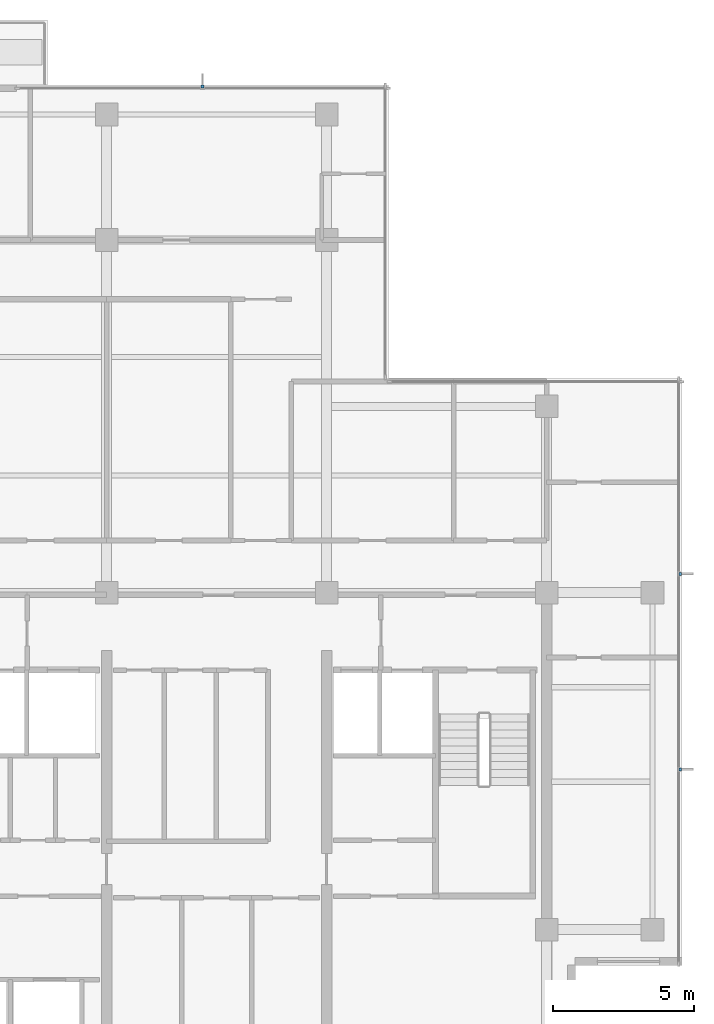
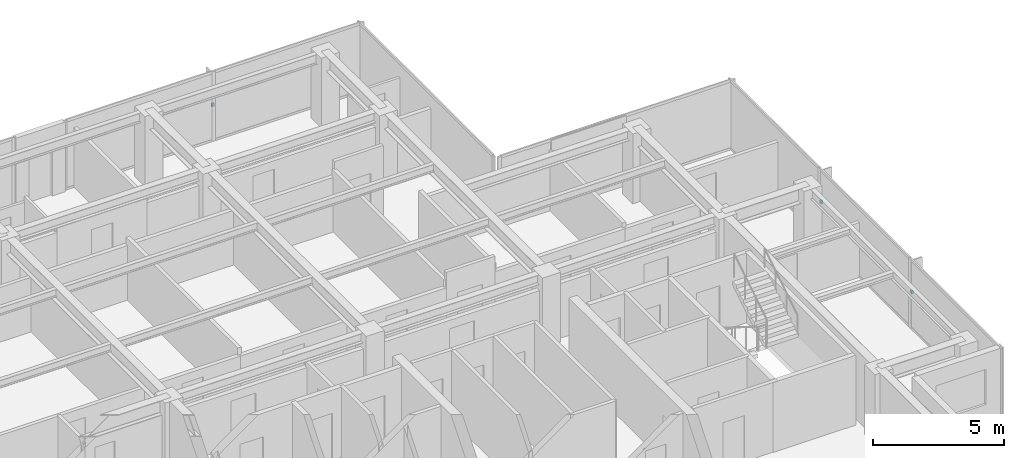
# One storey, part 10 of 11: 3 discrete accessories.
"""IFC4 building model written with IfcOpenShell, lengths in metres."""

from ifc_helpers import new_model, si_unit, direction, frame, origin, place, context, subcontext, project, spatial, polyline, outline, extrude, material, type_object, element, save


model = new_model("IFC4")

# Units and contexts
model_context = context("Model", 3, precision=1e-05, world=origin(), true_north=direction((0.0, 1.0)))
body_context = subcontext(model_context, "Body", "Model", "MODEL_VIEW")
ifc_project = project(units=[si_unit("LENGTHUNIT", "METRE"), si_unit("AREAUNIT", "SQUARE_METRE"), si_unit("VOLUMEUNIT", "CUBIC_METRE"), si_unit("PLANEANGLEUNIT", "RADIAN"), si_unit("MASSUNIT", "GRAM", prefix="KILO")], contexts=[model_context])

# Site, building, storey
site_placement = place(None, origin())
site = spatial("IfcSite", under=ifc_project, at=site_placement, CompositionType="ELEMENT")
building_placement = place(site_placement, origin())
building = spatial("IfcBuilding", under=site, at=building_placement, Name="Qalmaran Belvedere Hotel", CompositionType="ELEMENT")
storey_placement = place(building_placement, frame((0.0, 0.0, 256.39990234375)))
storey = spatial("IfcBuildingStorey", under=building, at=storey_placement, Name="L66", CompositionType="ELEMENT", Elevation=256.39990234375)

# Discrete accessories
ifc_material = material(Name="Stainless Steel 1.4401", Category="steel")
discrete_accessory_type = type_object("IfcDiscreteAccessoryType", Name="BRK-FIN-SS316", PredefinedType="BRACKET", material=ifc_material)
discrete_accessory_1_placement = place(storey_placement, frame((0.0, 0.0, 1.580078125)))
element("IfcDiscreteAccessory", 1, at=discrete_accessory_1_placement, inside=storey, type_object=discrete_accessory_type, Name="L66 Fin Bracket 1", PredefinedType="BRACKET", context=body_context, shape_type="SweptSolid", body=[
    extrude(outline(polyline([(49.4951171875, 14.17822265625), (49.58740234375, 14.17822265625), (49.58740234375, 14.288330078125), (49.4951171875, 14.288330078125), (49.4951171875, 14.17822265625)])), origin(), (0.0, 0.0, 1.0), 0.14013671875),
])
discrete_accessory_2_placement = place(storey_placement, frame((0.0, 0.0, 1.580078125)))
element("IfcDiscreteAccessory", 2, at=discrete_accessory_2_placement, inside=storey, type_object=discrete_accessory_type, Name="L66 Fin Bracket 2", PredefinedType="BRACKET", context=body_context, shape_type="SweptSolid", body=[
    extrude(outline(polyline([(49.4951171875, 21.11181640625), (49.58740234375, 21.11181640625), (49.58740234375, 21.2216796875), (49.4951171875, 21.2216796875), (49.4951171875, 21.11181640625)])), origin(), (0.0, 0.0, 1.0), 0.14013671875),
])
discrete_accessory_3_placement = place(storey_placement, frame((0.0, 0.0, 1.580078125)))
element("IfcDiscreteAccessory", 3, at=discrete_accessory_3_placement, inside=storey, type_object=discrete_accessory_type, Name="L66 Fin Bracket 1", PredefinedType="BRACKET", context=body_context, shape_type="SweptSolid", body=[
    extrude(outline(polyline([(32.655029296875, 38.39501953125), (32.655029296875, 38.487548828125), (32.544921875, 38.487548828125), (32.544921875, 38.39501953125), (32.655029296875, 38.39501953125)])), origin(), (0.0, 0.0, 1.0), 0.14013671875),
])

save(model, "model.ifc")
